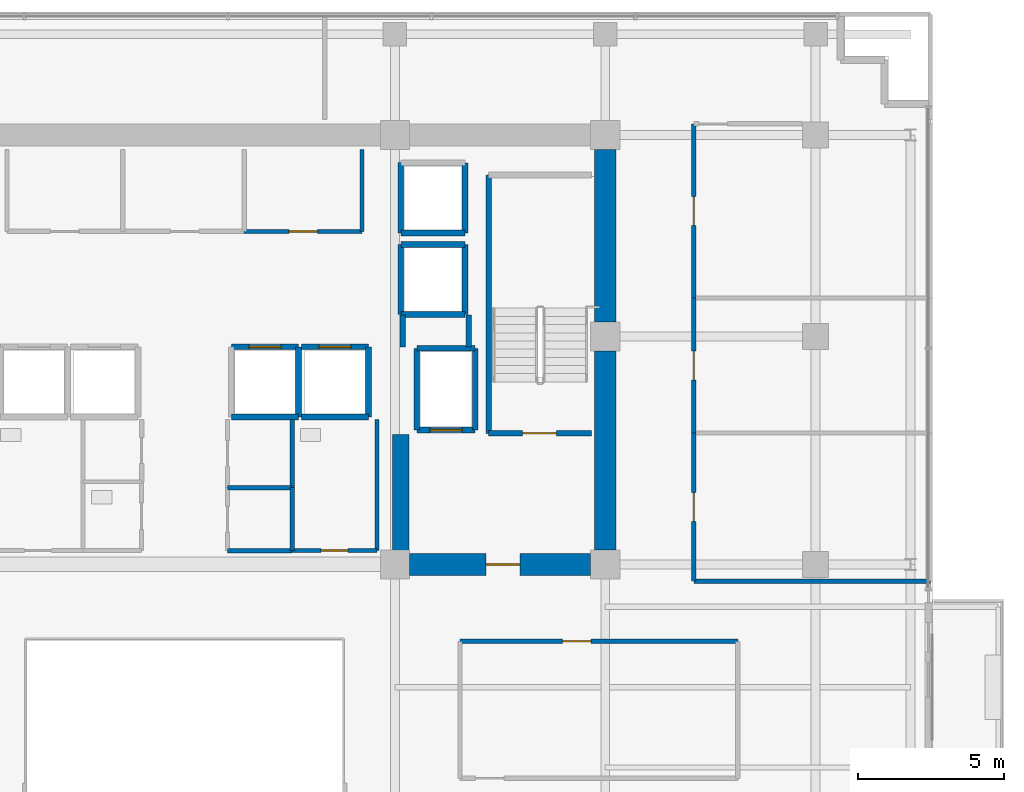
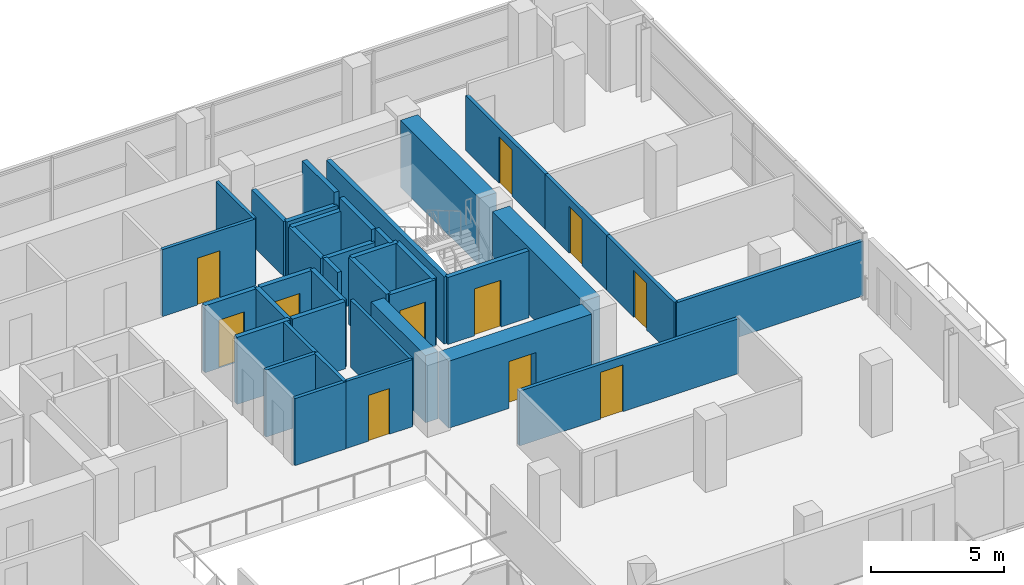
# One storey, part 21 of 25: 38 walls, 11 doors, 11 openings.
"""IFC4 building model written with IfcOpenShell, lengths in metres."""

from ifc_helpers import new_model, si_unit, direction, frame, frame_2d, origin, place, context, subcontext, project, spatial, rectangle, extrude, source, transform, mapped, material, layer, layer_set, type_object, element, fill, save


model = new_model("IFC4")

# Units and contexts
model_context = context("Model", 3, precision=1e-05, world=origin(), true_north=direction((0.0, 1.0)))
body_context = subcontext(model_context, "Body", "Model", "MODEL_VIEW")
ifc_project = project(units=[si_unit("LENGTHUNIT", "METRE"), si_unit("AREAUNIT", "SQUARE_METRE"), si_unit("VOLUMEUNIT", "CUBIC_METRE"), si_unit("PLANEANGLEUNIT", "RADIAN"), si_unit("MASSUNIT", "GRAM", prefix="KILO")], contexts=[model_context])

# Site, building, storey
site_placement = place(None, origin())
site = spatial("IfcSite", under=ifc_project, at=site_placement, CompositionType="ELEMENT")
building_placement = place(site_placement, origin())
building = spatial("IfcBuilding", under=site, at=building_placement, Name="Zarnakvel Exchange Tower", CompositionType="ELEMENT")
storey_placement = place(building_placement, frame((0.0, 0.0, 93.39990234375)))
storey = spatial("IfcBuildingStorey", under=building, at=storey_placement, Name="L25", CompositionType="ELEMENT", Elevation=93.39990234375)

# Walls
ifc_material_1 = material(Name="Concrete C60/75", Category="concrete")
ifc_layer_1 = layer(ifc_material_1, 0.75)
ifc_layer_set_1 = layer_set([ifc_layer_1], Name="Concrete C60/75")
wall_type_1 = type_object("IfcWallType", Name="CW-C3", PredefinedType="SHEAR", material=ifc_layer_set_1)
wall_1_placement = place(storey_placement, frame((14.39990234375, -0.699951171875, 0.0), z_axis=(0.0, 0.0, 1.0), x_axis=(0.0, 1.0, 0.0)))
element("IfcWall", 1, at=wall_1_placement, inside=storey, type_object=wall_type_1, Name="L25 Rear Core Shear Wall E1 (CW-C3)", PredefinedType="SHEAR", context=body_context, shape_type="SweptSolid", body=[
    extrude(rectangle(XDim=6.800048828125, YDim=0.75, at=frame_2d((3.39990234375, 0.0))), origin(), (0.0, 0.0, 1.0), 3.0751953125),
])
wall_2_placement = place(storey_placement, frame((14.39990234375, 7.10009765625, 0.0), z_axis=(0.0, 0.0, 1.0), x_axis=(0.0, 1.0, 0.0)))
element("IfcWall", 2, at=wall_2_placement, inside=storey, type_object=wall_type_1, Name="L25 Rear Core Shear Wall E2 (CW-C3)", PredefinedType="SHEAR", context=body_context, shape_type="SweptSolid", body=[
    extrude(rectangle(XDim=5.89990234375, YDim=0.75, at=frame_2d((2.949951171875, 0.0))), origin(), (0.0, 0.0, 1.0), 3.0751953125),
])

# Wall, opening, door
wall_3_placement = place(storey_placement, frame((13.89990234375, -1.199951171875, 0.0), z_axis=(0.0, 0.0, 1.0), x_axis=(-1.0, 0.0, 0.0)))
wall_3 = element("IfcWall", 3, at=wall_3_placement, inside=storey, type_object=wall_type_1, Name="L25 Rear Core Shear Wall SE (CW-C3)", PredefinedType="SHEAR", context=body_context, shape_type="SweptSolid", body=[
    extrude(rectangle(XDim=6.199951171875, YDim=0.75, at=frame_2d((3.10009765625, 0.0))), origin(), (0.0, 0.0, 1.0), 3.0751953125),
])
opening_1_placement = place(wall_3_placement, frame((2.425048828125, 0.0, 0.0)))
opening_1 = element("IfcOpeningElement", 4, at=opening_1_placement, cuts=wall_3, Name="Opening D-L25-04", PredefinedType="OPENING", context=body_context, shape_type="SweptSolid", body=[
    extrude(rectangle(XDim=1.14990234375, YDim=2.14990234375, at=frame_2d((0.574951171875, 1.074951171875))), frame((0.0, 0.385009765625, 0.0), z_axis=(0.0, -1.0, 0.0), x_axis=(1.0, 0.0, 0.0)), (0.0, 0.0, 1.0), 0.77001953125),
])
ifc_material_2 = material(Name="Painted Galvanised Steel S355", Category="steel")
door_type_1 = type_object("IfcDoorType", Name="DT-04", OperationType="NOTDEFINED", PredefinedType="DOOR", material=ifc_material_2)
shared_shape_1 = source(origin(), body_context, "Body", "SweptSolid", [
    extrude(rectangle(XDim=1.14990234375, YDim=2.14990234375, at=frame_2d((0.574951171875, 1.074951171875))), frame((0.0, 0.02490234375, 0.0), z_axis=(0.0, -1.0, 0.0), x_axis=(1.0, 0.0, 0.0)), (0.0, 0.0, 1.0), 0.050048828125),
])
door_1_placement = place(opening_1_placement, origin())
door_1 = element("IfcDoor", 5, at=door_1_placement, inside=storey, type_object=door_type_1, Name="L25 Firefighting Lobby East Door D-L25-04", OperationType="SINGLE_SWING_LEFT", OverallHeight=2.14990234375, OverallWidth=1.14990234375, PredefinedType="DOOR", context=body_context, shape_type="MappedRepresentation", body=[
    mapped(shared_shape_1, transform((0.0, 0.0, 0.0), x_axis=(1.0, 0.0, 0.0), y_axis=(0.0, 1.0, 0.0), z_axis=(0.0, 0.0, 1.0), scale=1.0)),
])
fill(opening_1, door_1)

# Walls
ifc_layer_2 = layer(ifc_material_1, 0.550048828125)
ifc_layer_set_2 = layer_set([ifc_layer_2], Name="Concrete C60/75")
wall_type_2 = type_object("IfcWallType", Name="CW-C4", PredefinedType="SHEAR", material=ifc_layer_set_2)
wall_4_placement = place(storey_placement, frame((7.39990234375, -0.824951171875, 0.0), z_axis=(0.0, 0.0, 1.0), x_axis=(0.0, 1.0, 0.0)))
element("IfcWall", 6, at=wall_4_placement, inside=storey, type_object=wall_type_2, Name="L25 Rear Core Shear Wall IE (CW-C4)", PredefinedType="SHEAR", context=body_context, shape_type="SweptSolid", body=[
    extrude(rectangle(XDim=4.074951171875, YDim=0.550048828125, at=frame_2d((2.03759765625, 0.0))), origin(), (0.0, 0.0, 1.0), 3.0751953125),
])
ifc_material_3 = material(Name="Fire-Rated Gypsum Stud Partition", Category="gypsum")
ifc_layer_3 = layer(ifc_material_3, 0.14990234375)
ifc_layer_set_3 = layer_set([ifc_layer_3], Name="Fire-Rated Gypsum Stud Partition")
wall_type_3 = type_object("IfcWallType", Name="PT-01", PredefinedType="PARTITIONING", material=ifc_layer_set_3)
for number, where, z_axis, x_axis, name in (
    (7, (3.679931640625, -0.72998046875, 0.0), (0.0, 0.0, 1.0), (-1.0, 0.0, 0.0), "L25 Partition Wall PWALL-L25-025 (PT-01)"),
    (8, (1.469970703125, 1.429931640625, 0.0), (0.0, 0.0, 1.0), (1.0, 0.0, 0.0), "L25 Partition Wall PWALL-L25-026 (PT-01)"),
):
    element("IfcWall", number, at=place(storey_placement, frame(where, z_axis=z_axis, x_axis=x_axis)), inside=storey, type_object=wall_type_3, Name=name, PredefinedType="PARTITIONING", context=body_context, shape_type="SweptSolid", body=[
        extrude(rectangle(XDim=2.2099609375, YDim=0.14990234375, at=frame_2d((1.10498046875, 0.0))), origin(), (0.0, 0.0, 1.0), 3.0751953125),
    ])
wall_5_placement = place(storey_placement, frame((3.679931640625, 1.429931640625, 0.0), z_axis=(0.0, 0.0, 1.0), x_axis=(0.0, -1.0, 0.0)))
element("IfcWall", 9, at=wall_5_placement, inside=storey, type_object=wall_type_3, Name="L25 Partition Wall PWALL-L25-028 (PT-01)", PredefinedType="PARTITIONING", context=body_context, shape_type="SweptSolid", body=[
    extrude(rectangle(XDim=2.159912109375, YDim=0.14990234375, at=frame_2d((1.080078125, 0.0))), origin(), (0.0, 0.0, 1.0), 3.0751953125),
])
wall_6_placement = place(storey_placement, frame((3.679931640625, 3.760009765625, 0.0), z_axis=(0.0, 0.0, 1.0), x_axis=(0.0, -1.0, 0.0)))
element("IfcWall", 10, at=wall_6_placement, inside=storey, type_object=wall_type_3, Name="L25 Partition Wall PWALL-L25-030 (PT-01)", PredefinedType="PARTITIONING", context=body_context, shape_type="SweptSolid", body=[
    extrude(rectangle(XDim=2.330078125, YDim=0.14990234375, at=frame_2d((1.1650390625, 0.0))), origin(), (0.0, 0.0, 1.0), 3.0751953125),
])

# Wall, opening, door
wall_7_placement = place(storey_placement, frame((9.429931640625, -3.830078125, 0.0), z_axis=(0.0, 0.0, 1.0), x_axis=(1.0, 0.0, 0.0)))
wall_7 = element("IfcWall", 11, at=wall_7_placement, inside=storey, type_object=wall_type_3, Name="L25 Partition Wall PWALL-L25-044 (PT-01)", PredefinedType="PARTITIONING", context=body_context, shape_type="SweptSolid", body=[
    extrude(rectangle(XDim=9.51123046875, YDim=0.14990234375, at=frame_2d((4.755615234375, 0.0))), origin(), (0.0, 0.0, 1.0), 2.51513671875),
])
opening_2_placement = place(wall_7_placement, frame((3.510009765625, 0.0, 0.0)))
opening_2 = element("IfcOpeningElement", 12, at=opening_2_placement, cuts=wall_7, Name="Opening D-L25-17", PredefinedType="OPENING", context=body_context, shape_type="SweptSolid", body=[
    extrude(rectangle(XDim=0.97998046875, YDim=2.14990234375, at=frame_2d((0.489990234375, 1.074951171875))), frame((0.0, 0.0849609375, 0.0), z_axis=(0.0, -1.0, 0.0), x_axis=(1.0, 0.0, 0.0)), (0.0, 0.0, 1.0), 0.169921875),
])
ifc_material_4 = material(Name="Timber Acoustic Veneer", Category="wood")
door_type_2 = type_object("IfcDoorType", Name="DT-05", OperationType="NOTDEFINED", PredefinedType="DOOR", material=ifc_material_4)
shared_shape_2 = source(origin(), body_context, "Body", "SweptSolid", [
    extrude(rectangle(XDim=0.97998046875, YDim=2.14990234375, at=frame_2d((0.489990234375, 1.074951171875))), frame((0.0, 0.02490234375, 0.0), z_axis=(0.0, -1.0, 0.0), x_axis=(1.0, 0.0, 0.0)), (0.0, 0.0, 1.0), 0.050048828125),
])
door_2_placement = place(opening_2_placement, origin())
door_2 = element("IfcDoor", 13, at=door_2_placement, inside=storey, type_object=door_type_2, Name="L25 Executive Office Door D-L25-17", OperationType="SINGLE_SWING_RIGHT", OverallHeight=2.14990234375, OverallWidth=0.97998046875, PredefinedType="DOOR", context=body_context, shape_type="MappedRepresentation", body=[
    mapped(shared_shape_2, transform((0.0, 0.0, 0.0), x_axis=(1.0, 0.0, 0.0), y_axis=(0.0, 1.0, 0.0), z_axis=(0.0, 0.0, 1.0), scale=1.0)),
])
fill(opening_2, door_2)

# Wall
wall_8_placement = place(storey_placement, frame((25.530029296875, -1.77001953125, 0.0), z_axis=(0.0, 0.0, 1.0), x_axis=(-1.0, 0.0, 0.0)))
element("IfcWall", 14, at=wall_8_placement, inside=storey, type_object=wall_type_3, Name="L25 Partition Wall PWALL-L25-054 (PT-01)", PredefinedType="PARTITIONING", context=body_context, shape_type="SweptSolid", body=[
    extrude(rectangle(XDim=8.10009765625, YDim=0.14990234375, at=frame_2d((4.050048828125, 0.0))), origin(), (0.0, 0.0, 1.0), 2.51513671875),
])

# Wall, opening, door
wall_9_placement = place(storey_placement, frame((17.429931640625, -1.77001953125, 0.0), z_axis=(0.0, 0.0, 1.0), x_axis=(0.0, 1.0, 0.0)))
wall_9 = element("IfcWall", 15, at=wall_9_placement, inside=storey, type_object=wall_type_3, Name="L25 Partition Wall PWALL-L25-056 (PT-01)", PredefinedType="PARTITIONING", context=body_context, shape_type="SweptSolid", body=[
    extrude(rectangle(XDim=5.06787109375, YDim=0.14990234375, at=frame_2d((2.533935546875, 0.0))), origin(), (0.0, 0.0, 1.0), 2.51513671875),
])
opening_3_placement = place(wall_9_placement, frame((2.0439453125, 0.0, 0.0)))
opening_3 = element("IfcOpeningElement", 16, at=opening_3_placement, cuts=wall_9, Name="Opening D-L25-20", PredefinedType="OPENING", context=body_context, shape_type="SweptSolid", body=[
    extrude(rectangle(XDim=0.97998046875, YDim=2.14990234375, at=frame_2d((0.489990234375, 1.074951171875))), frame((0.0, 0.0849609375, 0.0), z_axis=(0.0, -1.0, 0.0), x_axis=(1.0, 0.0, 0.0)), (0.0, 0.0, 1.0), 0.169921875),
])
door_3_placement = place(opening_3_placement, origin())
door_3 = element("IfcDoor", 17, at=door_3_placement, inside=storey, type_object=door_type_2, Name="L25 Breakout Pantry Door D-L25-20", OperationType="SINGLE_SWING_LEFT", OverallHeight=2.14990234375, OverallWidth=0.97998046875, PredefinedType="DOOR", context=body_context, shape_type="MappedRepresentation", body=[
    mapped(shared_shape_2, transform((0.0, 0.0, 0.0), x_axis=(1.0, 0.0, 0.0), y_axis=(0.0, 1.0, 0.0), z_axis=(0.0, 0.0, 1.0), scale=1.0)),
])
fill(opening_3, door_3)

wall_10_placement = place(storey_placement, frame((17.429931640625, 3.2978515625, 0.0), z_axis=(0.0, 0.0, 1.0), x_axis=(0.0, 1.0, 0.0)))
wall_10 = element("IfcWall", 18, at=wall_10_placement, inside=storey, type_object=wall_type_3, Name="L25 Partition Wall PWALL-L25-059 (PT-01)", PredefinedType="PARTITIONING", context=body_context, shape_type="SweptSolid", body=[
    extrude(rectangle(XDim=4.621826171875, YDim=0.14990234375, at=frame_2d((2.31103515625, 0.0))), origin(), (0.0, 0.0, 1.0), 2.51513671875),
])
opening_4_placement = place(wall_10_placement, frame((1.821044921875, 0.0, 0.0)))
opening_4 = element("IfcOpeningElement", 19, at=opening_4_placement, cuts=wall_10, Name="Opening D-L25-21", PredefinedType="OPENING", context=body_context, shape_type="SweptSolid", body=[
    extrude(rectangle(XDim=0.97998046875, YDim=2.14990234375, at=frame_2d((0.489990234375, 1.074951171875))), frame((0.0, 0.0849609375, 0.0), z_axis=(0.0, -1.0, 0.0), x_axis=(1.0, 0.0, 0.0)), (0.0, 0.0, 1.0), 0.169921875),
])
door_4_placement = place(opening_4_placement, origin())
door_4 = element("IfcDoor", 20, at=door_4_placement, inside=storey, type_object=door_type_2, Name="L25 Settlement Office Door D-L25-21", OperationType="SINGLE_SWING_RIGHT", OverallHeight=2.14990234375, OverallWidth=0.97998046875, PredefinedType="DOOR", context=body_context, shape_type="MappedRepresentation", body=[
    mapped(shared_shape_2, transform((0.0, 0.0, 0.0), x_axis=(1.0, 0.0, 0.0), y_axis=(0.0, 1.0, 0.0), z_axis=(0.0, 0.0, 1.0), scale=1.0)),
])
fill(opening_4, door_4)

wall_11_placement = place(storey_placement, frame((17.429931640625, 7.919677734375, 0.0), z_axis=(0.0, 0.0, 1.0), x_axis=(0.0, 1.0, 0.0)))
wall_11 = element("IfcWall", 21, at=wall_11_placement, inside=storey, type_object=wall_type_3, Name="L25 Partition Wall PWALL-L25-062 (PT-01)", PredefinedType="PARTITIONING", context=body_context, shape_type="SweptSolid", body=[
    extrude(rectangle(XDim=5.960205078125, YDim=0.14990234375, at=frame_2d((2.97998046875, 0.0))), origin(), (0.0, 0.0, 1.0), 2.51513671875),
])
opening_5_placement = place(wall_11_placement, frame((2.490234375, 0.0, 0.0)))
opening_5 = element("IfcOpeningElement", 22, at=opening_5_placement, cuts=wall_11, Name="Opening D-L25-22", PredefinedType="OPENING", context=body_context, shape_type="SweptSolid", body=[
    extrude(rectangle(XDim=0.97998046875, YDim=2.14990234375, at=frame_2d((0.489990234375, 1.074951171875))), frame((0.0, 0.0849609375, 0.0), z_axis=(0.0, -1.0, 0.0), x_axis=(1.0, 0.0, 0.0)), (0.0, 0.0, 1.0), 0.169921875),
])
door_5_placement = place(opening_5_placement, origin())
door_5 = element("IfcDoor", 23, at=door_5_placement, inside=storey, type_object=door_type_2, Name="L25 Reception Lounge Door D-L25-22", OperationType="SINGLE_SWING_LEFT", OverallHeight=2.14990234375, OverallWidth=0.97998046875, PredefinedType="DOOR", context=body_context, shape_type="MappedRepresentation", body=[
    mapped(shared_shape_2, transform((0.0, 0.0, 0.0), x_axis=(1.0, 0.0, 0.0), y_axis=(0.0, 1.0, 0.0), z_axis=(0.0, 0.0, 1.0), scale=1.0)),
])
fill(opening_5, door_5)

# Walls
ifc_layer_4 = layer(ifc_material_3, 0.179931640625)
ifc_layer_set_4 = layer_set([ifc_layer_4], Name="Fire-Rated Gypsum Stud Partition")
wall_type_4 = type_object("IfcWallType", Name="PT-02", PredefinedType="PARTITIONING", material=ifc_layer_set_4)
wall_12_placement = place(storey_placement, frame((7.469970703125, 6.239990234375, 0.0), z_axis=(0.0, 0.0, 1.0), x_axis=(0.0, 1.0, 0.0)))
element("IfcWall", 24, at=wall_12_placement, inside=storey, type_object=wall_type_4, Name="L25 Partition Wall PWALL-L25-009 (PT-02)", PredefinedType="PARTITIONING", context=body_context, shape_type="SweptSolid", body=[
    extrude(rectangle(XDim=1.090087890625, YDim=0.179931640625, at=frame_2d((0.544921875, 0.0))), origin(), (0.0, 0.0, 1.0), 2.51513671875),
])
wall_13_placement = place(storey_placement, frame((9.72998046875, 7.330078125, 0.0), z_axis=(0.0, 0.0, 1.0), x_axis=(0.0, -1.0, 0.0)))
element("IfcWall", 25, at=wall_13_placement, inside=storey, type_object=wall_type_4, Name="L25 Partition Wall PWALL-L25-010 (PT-02)", PredefinedType="PARTITIONING", context=body_context, shape_type="SweptSolid", body=[
    extrude(rectangle(XDim=1.090087890625, YDim=0.179931640625, at=frame_2d((0.544921875, 0.0))), origin(), (0.0, 0.0, 1.0), 3.0751953125),
])

# Wall, opening, door
ifc_material_5 = material(Name="Moisture-Resistant Tile-Faced Partition", Category="gypsum")
ifc_layer_5 = layer(ifc_material_5, 0.135009765625)
ifc_layer_set_5 = layer_set([ifc_layer_5], Name="Moisture-Resistant Tile-Faced Partition")
wall_type_5 = type_object("IfcWallType", Name="PT-03", PredefinedType="PARTITIONING", material=ifc_layer_set_5)
wall_14_placement = place(storey_placement, frame((6.080078125, 10.199951171875, 0.0), z_axis=(0.0, 0.0, 1.0), x_axis=(-1.0, 0.0, 0.0)))
wall_14 = element("IfcWall", 26, at=wall_14_placement, inside=storey, type_object=wall_type_5, Name="L25 Partition Wall PWALL-L25-016 (PT-03)", PredefinedType="PARTITIONING", context=body_context, shape_type="SweptSolid", body=[
    extrude(rectangle(XDim=4.0400390625, YDim=0.135009765625, at=frame_2d((2.02001953125, 0.0))), origin(), (0.0, 0.0, 1.0), 3.0751953125),
])
opening_6_placement = place(wall_14_placement, frame((1.530029296875, 0.0, 0.0)))
opening_6 = element("IfcOpeningElement", 27, at=opening_6_placement, cuts=wall_14, Name="Opening D-L25-07", PredefinedType="OPENING", context=body_context, shape_type="SweptSolid", body=[
    extrude(rectangle(XDim=0.97998046875, YDim=2.14990234375, at=frame_2d((0.489990234375, 1.074951171875))), frame((0.0, 0.077392578125, 0.0), z_axis=(0.0, -1.0, 0.0), x_axis=(1.0, 0.0, 0.0)), (0.0, 0.0, 1.0), 0.155029296875),
])
door_6_placement = place(opening_6_placement, origin())
door_6 = element("IfcDoor", 28, at=door_6_placement, inside=storey, type_object=door_type_2, Name="L25 Executive Tea Pantry Door D-L25-07", OperationType="SINGLE_SWING_RIGHT", OverallHeight=2.14990234375, OverallWidth=0.97998046875, PredefinedType="DOOR", context=body_context, shape_type="MappedRepresentation", body=[
    mapped(shared_shape_2, transform((0.0, 0.0, 0.0), x_axis=(1.0, 0.0, 0.0), y_axis=(0.0, 1.0, 0.0), z_axis=(0.0, 0.0, 1.0), scale=1.0)),
])
fill(opening_6, door_6)

# Wall
wall_15_placement = place(storey_placement, frame((6.080078125, 13.0, 0.0), z_axis=(0.0, 0.0, 1.0), x_axis=(0.0, -1.0, 0.0)))
element("IfcWall", 29, at=wall_15_placement, inside=storey, type_object=wall_type_5, Name="L25 Partition Wall PWALL-L25-017 (PT-03)", PredefinedType="PARTITIONING", context=body_context, shape_type="SweptSolid", body=[
    extrude(rectangle(XDim=2.800048828125, YDim=0.135009765625, at=frame_2d((1.39990234375, 0.0))), origin(), (0.0, 0.0, 1.0), 3.0751953125),
])

# Wall, opening, door
wall_16_placement = place(storey_placement, frame((6.580078125, -0.72998046875, 0.0), z_axis=(0.0, 0.0, 1.0), x_axis=(-1.0, 0.0, 0.0)))
wall_16 = element("IfcWall", 30, at=wall_16_placement, inside=storey, type_object=wall_type_5, Name="L25 Partition Wall PWALL-L25-031 (PT-03)", PredefinedType="PARTITIONING", context=body_context, shape_type="SweptSolid", body=[
    extrude(rectangle(XDim=2.900146484375, YDim=0.135009765625, at=frame_2d((1.4501953125, 0.0))), origin(), (0.0, 0.0, 1.0), 3.0751953125),
])
opening_7_placement = place(wall_16_placement, frame((0.989990234375, 0.0, 0.0)))
opening_7 = element("IfcOpeningElement", 31, at=opening_7_placement, cuts=wall_16, Name="Opening D-L25-13", PredefinedType="OPENING", context=body_context, shape_type="SweptSolid", body=[
    extrude(rectangle(XDim=0.919921875, YDim=2.10009765625, at=frame_2d((0.4599609375, 1.050048828125))), frame((0.0, 0.077392578125, 0.0), z_axis=(0.0, -1.0, 0.0), x_axis=(1.0, 0.0, 0.0)), (0.0, 0.0, 1.0), 0.155029296875),
])
ifc_material_6 = material(Name="Moisture-Resistant Laminate Timber", Category="wood")
door_type_3 = type_object("IfcDoorType", Name="DT-07", OperationType="NOTDEFINED", PredefinedType="DOOR", material=ifc_material_6)
shared_shape_3 = source(origin(), body_context, "Body", "SweptSolid", [
    extrude(rectangle(XDim=0.919921875, YDim=2.10009765625, at=frame_2d((0.4599609375, 1.050048828125))), frame((0.0, 0.02490234375, 0.0), z_axis=(0.0, -1.0, 0.0), x_axis=(1.0, 0.0, 0.0)), (0.0, 0.0, 1.0), 0.050048828125),
])
door_7_placement = place(opening_7_placement, origin())
door_7 = element("IfcDoor", 32, at=door_7_placement, inside=storey, type_object=door_type_3, Name="L25 Female Toilet Door D-L25-13", OperationType="SINGLE_SWING_RIGHT", OverallHeight=2.10009765625, OverallWidth=0.919921875, PredefinedType="DOOR", context=body_context, shape_type="MappedRepresentation", body=[
    mapped(shared_shape_3, transform((0.0, 0.0, 0.0), x_axis=(1.0, 0.0, 0.0), y_axis=(0.0, 1.0, 0.0), z_axis=(0.0, 0.0, 1.0), scale=1.0)),
])
fill(opening_7, door_7)

# Wall
wall_17_placement = place(storey_placement, frame((6.580078125, 3.760009765625, 0.0), z_axis=(0.0, 0.0, 1.0), x_axis=(0.0, -1.0, 0.0)))
element("IfcWall", 33, at=wall_17_placement, inside=storey, type_object=wall_type_5, Name="L25 Partition Wall PWALL-L25-032 (PT-03)", PredefinedType="PARTITIONING", context=body_context, shape_type="SweptSolid", body=[
    extrude(rectangle(XDim=4.489990234375, YDim=0.135009765625, at=frame_2d((2.2451171875, 0.0))), origin(), (0.0, 0.0, 1.0), 3.0751953125),
])

# Wall, opening, door
ifc_material_7 = material(Name="Concrete C40/50", Category="concrete")
ifc_layer_6 = layer(ifc_material_7, 0.199951171875)
ifc_layer_set_6 = layer_set([ifc_layer_6], Name="Concrete C40/50")
wall_type_6 = type_object("IfcWallType", Name="SW-01", PredefinedType="SOLIDWALL", material=ifc_layer_set_6)
wall_18_placement = place(storey_placement, frame((9.949951171875, 3.39990234375, 0.0), z_axis=(0.0, 0.0, 1.0), x_axis=(-1.0, 0.0, 0.0)))
wall_18 = element("IfcWall", 34, at=wall_18_placement, inside=storey, type_object=wall_type_6, Name="L25 FL-02 Hoistway Wall South", PredefinedType="SOLIDWALL", context=body_context, shape_type="SweptSolid", body=[
    extrude(rectangle(XDim=2.0, YDim=0.199951171875, at=frame_2d((1.0, 0.0))), origin(), (0.0, 0.0, 1.0), 3.0751953125),
])
opening_8_placement = place(wall_18_placement, frame((0.449951171875, 0.0, 0.0)))
opening_8 = element("IfcOpeningElement", 35, at=opening_8_placement, cuts=wall_18, Name="Opening LD-FL-02-L25", PredefinedType="OPENING", context=body_context, shape_type="SweptSolid", body=[
    extrude(rectangle(XDim=1.10009765625, YDim=2.199951171875, at=frame_2d((0.550048828125, 1.10009765625))), frame((0.0, 0.10986328125, 0.0), z_axis=(0.0, -1.0, 0.0), x_axis=(1.0, 0.0, 0.0)), (0.0, 0.0, 1.0), 0.219970703125),
])
ifc_material_8 = material(Name="Brushed Stainless Steel", Category="steel")
door_type_4 = type_object("IfcDoorType", Name="LDT-01", OperationType="NOTDEFINED", PredefinedType="DOOR", material=ifc_material_8)
shared_shape_4 = source(origin(), body_context, "Body", "SweptSolid", [
    extrude(rectangle(XDim=1.10009765625, YDim=2.199951171875, at=frame_2d((0.550048828125, 1.10009765625))), frame((0.0, 0.02490234375, 0.0), z_axis=(0.0, -1.0, 0.0), x_axis=(1.0, 0.0, 0.0)), (0.0, 0.0, 1.0), 0.050048828125),
])
door_8_placement = place(opening_8_placement, origin())
door_8 = element("IfcDoor", 36, at=door_8_placement, inside=storey, type_object=door_type_4, Name="L25 FL-02 Lift Landing Door LD-FL-02-L25", OperationType="DOUBLE_DOOR_SLIDING", OverallHeight=2.199951171875, OverallWidth=1.10009765625, PredefinedType="DOOR", context=body_context, shape_type="MappedRepresentation", body=[
    mapped(shared_shape_4, transform((0.0, 0.0, 0.0), x_axis=(1.0, 0.0, 0.0), y_axis=(0.0, 1.0, 0.0), z_axis=(0.0, 0.0, 1.0), scale=1.0)),
])
fill(opening_8, door_8)

# Walls
wall_19_placement = place(storey_placement, frame((7.949951171875, 6.199951171875, 0.0), z_axis=(0.0, 0.0, 1.0), x_axis=(1.0, 0.0, 0.0)))
element("IfcWall", 37, at=wall_19_placement, inside=storey, type_object=wall_type_6, Name="L25 FL-02 Hoistway Wall North", PredefinedType="SOLIDWALL", context=body_context, shape_type="SweptSolid", body=[
    extrude(rectangle(XDim=2.0, YDim=0.199951171875, at=frame_2d((1.0, 0.0))), origin(), (0.0, 0.0, 1.0), 3.0751953125),
])
for number, where, z_axis, x_axis, name in (
    (38, (7.949951171875, 3.39990234375, 0.0), (0.0, 0.0, 1.0), (0.0, 1.0, 0.0), "L25 FL-02 Hoistway Wall West"),
    (39, (9.949951171875, 6.199951171875, 0.0), (0.0, 0.0, 1.0), (0.0, -1.0, 0.0), "L25 FL-02 Hoistway Wall East"),
):
    element("IfcWall", number, at=place(storey_placement, frame(where, z_axis=z_axis, x_axis=x_axis)), inside=storey, type_object=wall_type_6, Name=name, PredefinedType="SOLIDWALL", context=body_context, shape_type="SweptSolid", body=[
        extrude(rectangle(XDim=2.800048828125, YDim=0.199951171875, at=frame_2d((1.39990234375, 0.0))), origin(), (0.0, 0.0, 1.0), 3.0751953125),
    ])
wall_20_placement = place(storey_placement, frame((3.89990234375, 3.85009765625, 0.0), z_axis=(0.0, 0.0, 1.0), x_axis=(-1.0, 0.0, 0.0)))
element("IfcWall", 40, at=wall_20_placement, inside=storey, type_object=wall_type_6, Name="L25 PL-07 Hoistway Wall South", PredefinedType="SOLIDWALL", context=body_context, shape_type="SweptSolid", body=[
    extrude(rectangle(XDim=2.2998046875, YDim=0.199951171875, at=frame_2d((1.14990234375, 0.0))), origin(), (0.0, 0.0, 1.0), 3.0751953125),
])

# Wall, opening, door
wall_21_placement = place(storey_placement, frame((1.60009765625, 6.25, 0.0), z_axis=(0.0, 0.0, 1.0), x_axis=(1.0, 0.0, 0.0)))
wall_21 = element("IfcWall", 41, at=wall_21_placement, inside=storey, type_object=wall_type_6, Name="L25 PL-07 Hoistway Wall North", PredefinedType="SOLIDWALL", context=body_context, shape_type="SweptSolid", body=[
    extrude(rectangle(XDim=2.2998046875, YDim=0.199951171875, at=frame_2d((1.14990234375, 0.0))), origin(), (0.0, 0.0, 1.0), 3.0751953125),
])
opening_9_placement = place(wall_21_placement, frame((0.60009765625, 0.0, 0.0)))
opening_9 = element("IfcOpeningElement", 42, at=opening_9_placement, cuts=wall_21, Name="Opening LD-PL-07-L25", PredefinedType="OPENING", context=body_context, shape_type="SweptSolid", body=[
    extrude(rectangle(XDim=1.10009765625, YDim=2.199951171875, at=frame_2d((0.550048828125, 1.10009765625))), frame((0.0, 0.10986328125, 0.0), z_axis=(0.0, -1.0, 0.0), x_axis=(1.0, 0.0, 0.0)), (0.0, 0.0, 1.0), 0.219970703125),
])
ifc_material_9 = material(Name="Architectural Bronze Anodised Aluminium", Category="aluminium")
door_type_5 = type_object("IfcDoorType", Name="LDT-02", OperationType="NOTDEFINED", PredefinedType="DOOR", material=ifc_material_9)
door_9_placement = place(opening_9_placement, origin())
door_9 = element("IfcDoor", 43, at=door_9_placement, inside=storey, type_object=door_type_5, Name="L25 PL-07 Lift Landing Door LD-PL-07-L25", OperationType="DOUBLE_DOOR_SLIDING", OverallHeight=2.199951171875, OverallWidth=1.10009765625, PredefinedType="DOOR", context=body_context, shape_type="MappedRepresentation", body=[
    mapped(shared_shape_4, transform((0.0, 0.0, 0.0), x_axis=(1.0, 0.0, 0.0), y_axis=(0.0, 1.0, 0.0), z_axis=(0.0, 0.0, 1.0), scale=1.0)),
])
fill(opening_9, door_9)

# Walls
wall_22_placement = place(storey_placement, frame((3.89990234375, 6.25, 0.0), z_axis=(0.0, 0.0, 1.0), x_axis=(0.0, -1.0, 0.0)))
element("IfcWall", 44, at=wall_22_placement, inside=storey, type_object=wall_type_6, Name="L25 PL-07 Hoistway Wall East", PredefinedType="SOLIDWALL", context=body_context, shape_type="SweptSolid", body=[
    extrude(rectangle(XDim=2.39990234375, YDim=0.199951171875, at=frame_2d((1.199951171875, 0.0))), origin(), (0.0, 0.0, 1.0), 3.0751953125),
])
wall_23_placement = place(storey_placement, frame((6.300048828125, 3.85009765625, 0.0), z_axis=(0.0, 0.0, 1.0), x_axis=(-1.0, 0.0, 0.0)))
element("IfcWall", 45, at=wall_23_placement, inside=storey, type_object=wall_type_6, Name="L25 PL-08 Hoistway Wall South", PredefinedType="SOLIDWALL", context=body_context, shape_type="SweptSolid", body=[
    extrude(rectangle(XDim=2.300048828125, YDim=0.199951171875, at=frame_2d((1.14990234375, 0.0))), origin(), (0.0, 0.0, 1.0), 3.0751953125),
])

# Wall, opening, door
wall_24_placement = place(storey_placement, frame((4.0, 6.25, 0.0), z_axis=(0.0, 0.0, 1.0), x_axis=(1.0, 0.0, 0.0)))
wall_24 = element("IfcWall", 46, at=wall_24_placement, inside=storey, type_object=wall_type_6, Name="L25 PL-08 Hoistway Wall North", PredefinedType="SOLIDWALL", context=body_context, shape_type="SweptSolid", body=[
    extrude(rectangle(XDim=2.300048828125, YDim=0.199951171875, at=frame_2d((1.14990234375, 0.0))), origin(), (0.0, 0.0, 1.0), 3.0751953125),
])
opening_10_placement = place(wall_24_placement, frame((0.60009765625, 0.0, 0.0)))
opening_10 = element("IfcOpeningElement", 47, at=opening_10_placement, cuts=wall_24, Name="Opening LD-PL-08-L25", PredefinedType="OPENING", context=body_context, shape_type="SweptSolid", body=[
    extrude(rectangle(XDim=1.10009765625, YDim=2.199951171875, at=frame_2d((0.550048828125, 1.10009765625))), frame((0.0, 0.10986328125, 0.0), z_axis=(0.0, -1.0, 0.0), x_axis=(1.0, 0.0, 0.0)), (0.0, 0.0, 1.0), 0.219970703125),
])
door_10_placement = place(opening_10_placement, origin())
door_10 = element("IfcDoor", 48, at=door_10_placement, inside=storey, type_object=door_type_5, Name="L25 PL-08 Lift Landing Door LD-PL-08-L25", OperationType="DOUBLE_DOOR_SLIDING", OverallHeight=2.199951171875, OverallWidth=1.10009765625, PredefinedType="DOOR", context=body_context, shape_type="MappedRepresentation", body=[
    mapped(shared_shape_4, transform((0.0, 0.0, 0.0), x_axis=(1.0, 0.0, 0.0), y_axis=(0.0, 1.0, 0.0), z_axis=(0.0, 0.0, 1.0), scale=1.0)),
])
fill(opening_10, door_10)

# Walls
wall_25_placement = place(storey_placement, frame((6.300048828125, 6.25, 0.0), z_axis=(0.0, 0.0, 1.0), x_axis=(0.0, -1.0, 0.0)))
element("IfcWall", 49, at=wall_25_placement, inside=storey, type_object=wall_type_6, Name="L25 PL-08 Hoistway Wall East", PredefinedType="SOLIDWALL", context=body_context, shape_type="SweptSolid", body=[
    extrude(rectangle(XDim=2.39990234375, YDim=0.199951171875, at=frame_2d((1.199951171875, 0.0))), origin(), (0.0, 0.0, 1.0), 3.0751953125),
])
for number, where, z_axis, x_axis, name in (
    (50, (9.60009765625, 7.35009765625, 0.0), (0.0, 0.0, 1.0), (-1.0, 0.0, 0.0), "L25 PL-11 Hoistway Wall South"),
    (51, (7.39990234375, 9.75, 0.0), (0.0, 0.0, 1.0), (1.0, 0.0, 0.0), "L25 PL-11 Hoistway Wall North"),
):
    element("IfcWall", number, at=place(storey_placement, frame(where, z_axis=z_axis, x_axis=x_axis)), inside=storey, type_object=wall_type_6, Name=name, PredefinedType="SOLIDWALL", context=body_context, shape_type="SweptSolid", body=[
        extrude(rectangle(XDim=2.2001953125, YDim=0.199951171875, at=frame_2d((1.10009765625, 0.0))), origin(), (0.0, 0.0, 1.0), 2.51513671875),
    ])
wall_26_placement = place(storey_placement, frame((7.39990234375, 7.35009765625, 0.0), z_axis=(0.0, 0.0, 1.0), x_axis=(0.0, 1.0, 0.0)))
element("IfcWall", 52, at=wall_26_placement, inside=storey, type_object=wall_type_6, Name="L25 PL-11 Hoistway Wall West", PredefinedType="SOLIDWALL", context=body_context, shape_type="SweptSolid", body=[
    extrude(rectangle(XDim=2.39990234375, YDim=0.199951171875, at=frame_2d((1.199951171875, 0.0))), origin(), (0.0, 0.0, 1.0), 2.51513671875),
])
wall_27_placement = place(storey_placement, frame((9.60009765625, 9.75, 0.0), z_axis=(0.0, 0.0, 1.0), x_axis=(0.0, -1.0, 0.0)))
element("IfcWall", 53, at=wall_27_placement, inside=storey, type_object=wall_type_6, Name="L25 PL-11 Hoistway Wall East", PredefinedType="SOLIDWALL", context=body_context, shape_type="SweptSolid", body=[
    extrude(rectangle(XDim=2.39990234375, YDim=0.199951171875, at=frame_2d((1.199951171875, 0.0))), origin(), (0.0, 0.0, 1.0), 3.0751953125),
])
wall_28_placement = place(storey_placement, frame((9.60009765625, 10.14990234375, 0.0), z_axis=(0.0, 0.0, 1.0), x_axis=(-1.0, 0.0, 0.0)))
element("IfcWall", 54, at=wall_28_placement, inside=storey, type_object=wall_type_6, Name="L25 PL-12 Hoistway Wall South", PredefinedType="SOLIDWALL", context=body_context, shape_type="SweptSolid", body=[
    extrude(rectangle(XDim=2.2001953125, YDim=0.199951171875, at=frame_2d((1.10009765625, 0.0))), origin(), (0.0, 0.0, 1.0), 2.51513671875),
])
wall_29_placement = place(storey_placement, frame((7.39990234375, 10.14990234375, 0.0), z_axis=(0.0, 0.0, 1.0), x_axis=(0.0, 1.0, 0.0)))
element("IfcWall", 55, at=wall_29_placement, inside=storey, type_object=wall_type_6, Name="L25 PL-12 Hoistway Wall West", PredefinedType="SOLIDWALL", context=body_context, shape_type="SweptSolid", body=[
    extrude(rectangle(XDim=2.400146484375, YDim=0.199951171875, at=frame_2d((1.2001953125, 0.0))), origin(), (0.0, 0.0, 1.0), 2.51513671875),
])
wall_30_placement = place(storey_placement, frame((9.60009765625, 12.550048828125, 0.0), z_axis=(0.0, 0.0, 1.0), x_axis=(0.0, -1.0, 0.0)))
element("IfcWall", 56, at=wall_30_placement, inside=storey, type_object=wall_type_6, Name="L25 PL-12 Hoistway Wall East", PredefinedType="SOLIDWALL", context=body_context, shape_type="SweptSolid", body=[
    extrude(rectangle(XDim=2.400146484375, YDim=0.199951171875, at=frame_2d((1.2001953125, 0.0))), origin(), (0.0, 0.0, 1.0), 3.0751953125),
])

# Wall, opening, door
ifc_layer_7 = layer(ifc_material_7, 0.199951171875)
ifc_layer_set_7 = layer_set([ifc_layer_7], Name="Concrete C40/50")
wall_type_7 = type_object("IfcWallType", Name="SW-02", PredefinedType="SOLIDWALL", material=ifc_layer_set_7)
wall_31_placement = place(storey_placement, frame((13.929931640625, 3.2900390625, 0.0), z_axis=(0.0, 0.0, 1.0), x_axis=(-1.0, 0.0, 0.0)))
wall_31 = element("IfcWall", 57, at=wall_31_placement, inside=storey, type_object=wall_type_7, Name="L25 Stairwell Core Wall PWALL-L25-004 (SW-02)", PredefinedType="SOLIDWALL", context=body_context, shape_type="SweptSolid", body=[
    extrude(rectangle(XDim=3.52001953125, YDim=0.199951171875, at=frame_2d((1.760009765625, 0.0))), origin(), (0.0, 0.0, 1.0), 3.0751953125),
])
opening_11_placement = place(wall_31_placement, frame((1.205078125, 0.0, 0.0)))
opening_11 = element("IfcOpeningElement", 58, at=opening_11_placement, cuts=wall_31, Name="Opening D-L25-02", PredefinedType="OPENING", context=body_context, shape_type="SweptSolid", body=[
    extrude(rectangle(XDim=1.14990234375, YDim=2.14990234375, at=frame_2d((0.574951171875, 1.074951171875))), frame((0.0, 0.10986328125, 0.0), z_axis=(0.0, -1.0, 0.0), x_axis=(1.0, 0.0, 0.0)), (0.0, 0.0, 1.0), 0.219970703125),
])
door_11_placement = place(opening_11_placement, origin())
door_11 = element("IfcDoor", 59, at=door_11_placement, inside=storey, type_object=door_type_1, Name="L25 Stairwell ST-02 Door D-L25-02", OperationType="SINGLE_SWING_LEFT", OverallHeight=2.14990234375, OverallWidth=1.14990234375, PredefinedType="DOOR", context=body_context, shape_type="MappedRepresentation", body=[
    mapped(shared_shape_1, transform((0.0, 0.0, 0.0), x_axis=(1.0, 0.0, 0.0), y_axis=(0.0, 1.0, 0.0), z_axis=(0.0, 0.0, 1.0), scale=1.0)),
])
fill(opening_11, door_11)

# Wall
wall_32_placement = place(storey_placement, frame((10.409912109375, 3.2900390625, 0.0), z_axis=(0.0, 0.0, 1.0), x_axis=(0.0, 1.0, 0.0)))
element("IfcWall", 60, at=wall_32_placement, inside=storey, type_object=wall_type_7, Name="L25 Stairwell Core Wall PWALL-L25-006 (SW-02)", PredefinedType="SOLIDWALL", context=body_context, shape_type="SweptSolid", body=[
    extrude(rectangle(XDim=8.83984375, YDim=0.199951171875, at=frame_2d((4.419921875, 0.0))), origin(), (0.0, 0.0, 1.0), 3.0751953125),
])

save(model, "model.ifc")
